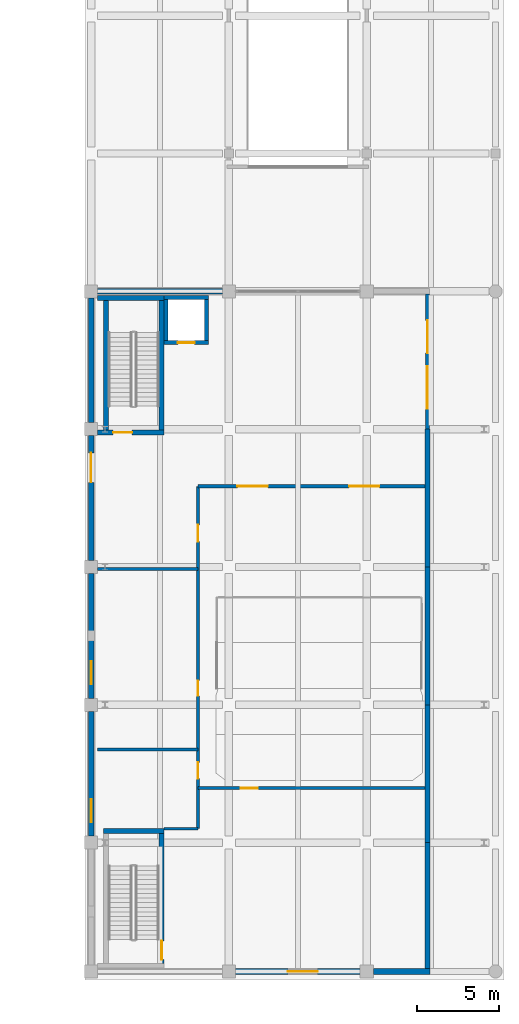
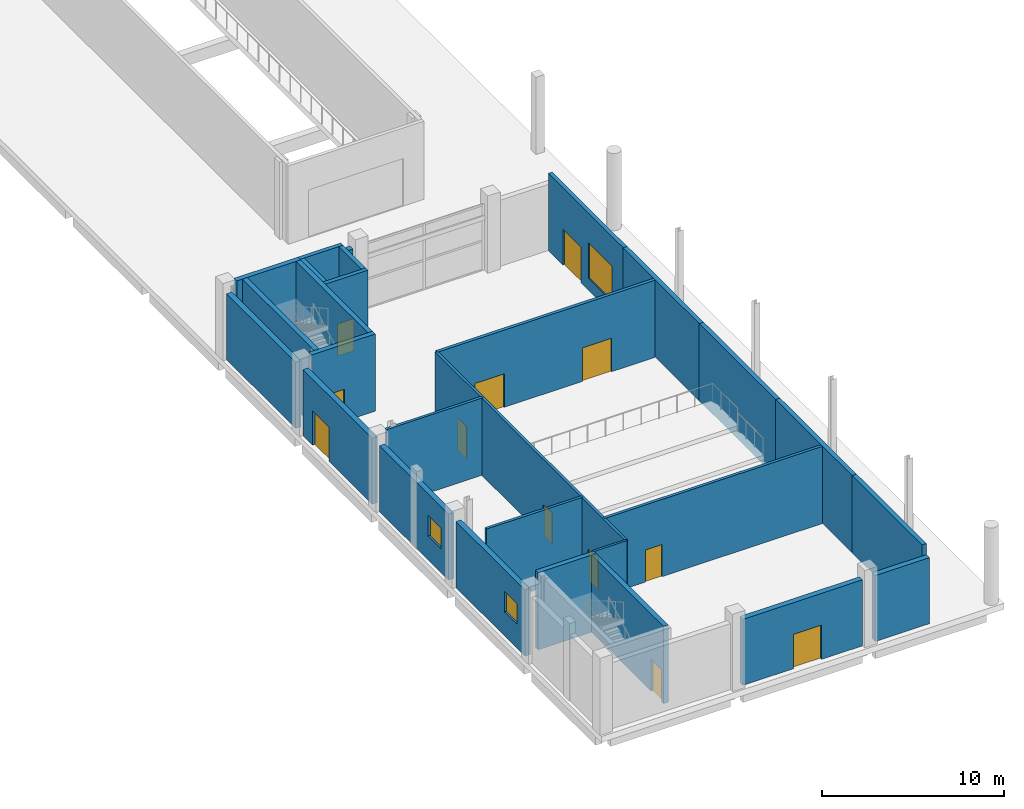
# One storey, part 23 of 34: 28 walls, 12 doors, 3 windows, 15 openings.
"""IFC4 building model written with IfcOpenShell, lengths in metres."""

from ifc_helpers import new_model, si_unit, direction, frame, frame_2d, origin, place, context, subcontext, project, spatial, rectangle, extrude, material, layer, layer_set, type_object, element, fill, save


model = new_model("IFC4")

# Units and contexts
model_context = context("Model", 3, precision=1e-05, world=origin(), true_north=direction((0.0, 1.0)))
body_context = subcontext(model_context, "Body", "Model", "MODEL_VIEW")
ifc_project = project(units=[si_unit("LENGTHUNIT", "METRE"), si_unit("AREAUNIT", "SQUARE_METRE"), si_unit("VOLUMEUNIT", "CUBIC_METRE"), si_unit("PLANEANGLEUNIT", "RADIAN"), si_unit("MASSUNIT", "GRAM", prefix="KILO")], contexts=[model_context])

# Site, building, storey
site_placement = place(None, origin())
site = spatial("IfcSite", under=ifc_project, at=site_placement, CompositionType="ELEMENT")
building_placement = place(site_placement, origin())
building = spatial("IfcBuilding", under=site, at=building_placement, Name="Brinegate Botanical Conservatory", CompositionType="ELEMENT")
storey_placement = place(building_placement, origin())
storey = spatial("IfcBuildingStorey", under=building, at=storey_placement, Name="L01", CompositionType="ELEMENT", Elevation=0.0)

# Wall, openings, door, window
ifc_material_1 = material(Name="Fujian grey granite ashlar masonry", Category="masonry")
ifc_layer_1 = layer(ifc_material_1, 0.239990234375, Name="Fujian grey granite ashlar masonry", Category="masonry")
ifc_layer_set_1 = layer_set([ifc_layer_1], Name="Fujian grey granite ashlar masonry")
wall_type_1 = type_object("IfcWallType", Name="Wall_EW-240A", PredefinedType="STANDARD", material=ifc_layer_set_1)
wall_1_placement = place(storey_placement, frame((159.300048828125, 41.830078125, 0.0), z_axis=(0.0, 0.0, 1.0), x_axis=(0.0, -1.0, 0.0)))
wall_1 = element("IfcWall", 1, at=wall_1_placement, inside=storey, type_object=wall_type_1, Name="Auditorium qilou foyer entrance wall", PredefinedType="STANDARD", context=body_context, shape_type="SweptSolid", body=[
    extrude(rectangle(XDim=8.22998046875, YDim=0.239990234375, at=frame_2d((4.114990234375, 0.0))), origin(), (0.0, 0.0, 1.0), 5.179931640625),
])
opening_1_placement = place(wall_1_placement, frame((1.60009765625, 0.0, 0.0)))
opening_1 = element("IfcOpeningElement", 2, at=opening_1_placement, cuts=wall_1, Name="Opening EX-01", PredefinedType="OPENING", context=body_context, shape_type="SweptSolid", body=[
    extrude(rectangle(XDim=2.0, YDim=2.39990234375, at=frame_2d((1.0, 1.199951171875))), frame((0.0, 0.1298828125, 0.0), z_axis=(0.0, -1.0, 0.0), x_axis=(1.0, 0.0, 0.0)), (0.0, 0.0, 1.0), 0.260009765625),
])
opening_2_placement = place(wall_1_placement, frame((4.39990234375, 0.0, 0.800048828125)))
opening_2 = element("IfcOpeningElement", 3, at=opening_2_placement, cuts=wall_1, Name="Opening WN-14", PredefinedType="OPENING", context=body_context, shape_type="SweptSolid", body=[
    extrude(rectangle(XDim=2.60009765625, YDim=2.39990234375, at=frame_2d((1.300048828125, 1.199951171875))), frame((0.0, 0.1298828125, 0.0), z_axis=(0.0, -1.0, 0.0), x_axis=(1.0, 0.0, 0.0)), (0.0, 0.0, 1.0), 0.260009765625),
])
ifc_material_2 = material(Name="Anodised aluminium and laminated safety glass", Category="aluminium")
door_type_1 = type_object("IfcDoorType", Name="Door_EX-01", OperationType="NOTDEFINED", PredefinedType="DOOR", material=ifc_material_2)
door_1_placement = place(opening_1_placement, origin())
door_1 = element("IfcDoor", 4, at=door_1_placement, inside=storey, type_object=door_type_1, Name="DR-V2-ENT-1", OperationType="SINGLE_SWING_LEFT", OverallHeight=2.39990234375, OverallWidth=2.0, PredefinedType="DOOR", context=body_context, shape_type="SweptSolid", body=[
    extrude(rectangle(XDim=2.0, YDim=2.39990234375, at=frame_2d((1.0, 1.199951171875))), frame((0.0, 0.02490234375, 0.0), z_axis=(0.0, -1.0, 0.0), x_axis=(1.0, 0.0, 0.0)), (0.0, 0.0, 1.0), 0.050048828125),
])
fill(opening_1, door_1)
ifc_material_3 = material(Name="Thermally broken aluminium-framed Low-E glass", Category="aluminium")
window_type_1 = type_object("IfcWindowType", Name="Win_WN-14", PartitioningType="TRIPLE_PANEL_VERTICAL", PredefinedType="WINDOW", material=ifc_material_3)
window_1_placement = place(opening_2_placement, origin())
window_1 = element("IfcWindow", 5, at=window_1_placement, inside=storey, type_object=window_type_1, Name="Auditorium foyer display window", OverallHeight=2.39990234375, OverallWidth=2.60009765625, PartitioningType="TRIPLE_PANEL_VERTICAL", PredefinedType="WINDOW", context=body_context, shape_type="SweptSolid", body=[
    extrude(rectangle(XDim=2.60009765625, YDim=2.39990234375, at=frame_2d((1.300048828125, 1.199951171875))), frame((0.0, 0.030029296875, 0.0), z_axis=(0.0, -1.0, 0.0), x_axis=(1.0, 0.0, 0.0)), (0.0, 0.0, 1.0), 0.06005859375),
])
fill(opening_2, window_1)

# Walls
ifc_material_4 = material(Name="Precast concrete C40/50 architectural panel", Category="concrete")
ifc_layer_2 = layer(ifc_material_4, 0.280029296875, Name="Precast concrete C40/50 architectural panel", Category="concrete")
ifc_layer_set_2 = layer_set([ifc_layer_2], Name="Precast concrete C40/50 architectural panel")
wall_type_2 = type_object("IfcWallType", Name="Wall_EW-280P", PredefinedType="STANDARD", material=ifc_layer_set_2)
wall_2_placement = place(storey_placement, frame((159.300048828125, 8.39990234375, 0.0), z_axis=(0.0, 0.0, 1.0), x_axis=(0.0, -1.0, 0.0)))
element("IfcWall", 6, at=wall_2_placement, inside=storey, type_object=wall_type_2, Name="Auditorium east acoustic wall L01.1", PredefinedType="STANDARD", context=body_context, shape_type="SweptSolid", body=[
    extrude(rectangle(XDim=7.679931640625, YDim=0.280029296875, at=frame_2d((3.83984375, 0.0))), origin(), (0.0, 0.0, 1.0), 5.179931640625),
])
wall_3_placement = place(storey_placement, frame((159.300048828125, 16.800048828125, 0.0), z_axis=(0.0, 0.0, 1.0), x_axis=(0.0, -1.0, 0.0)))
element("IfcWall", 7, at=wall_3_placement, inside=storey, type_object=wall_type_2, Name="Auditorium east acoustic wall L01.2", PredefinedType="STANDARD", context=body_context, shape_type="SweptSolid", body=[
    extrude(rectangle(XDim=8.400146484375, YDim=0.280029296875, at=frame_2d((4.2001953125, 0.0))), origin(), (0.0, 0.0, 1.0), 5.179931640625),
])
wall_4_placement = place(storey_placement, frame((159.300048828125, 25.199951171875, 0.0), z_axis=(0.0, 0.0, 1.0), x_axis=(0.0, -1.0, 0.0)))
element("IfcWall", 8, at=wall_4_placement, inside=storey, type_object=wall_type_2, Name="Auditorium east acoustic wall L01.3", PredefinedType="STANDARD", context=body_context, shape_type="SweptSolid", body=[
    extrude(rectangle(XDim=8.39990234375, YDim=0.280029296875, at=frame_2d((4.199951171875, 0.0))), origin(), (0.0, 0.0, 1.0), 5.179931640625),
])
wall_5_placement = place(storey_placement, frame((159.300048828125, 33.60009765625, 0.0), z_axis=(0.0, 0.0, 1.0), x_axis=(0.0, -1.0, 0.0)))
element("IfcWall", 9, at=wall_5_placement, inside=storey, type_object=wall_type_2, Name="Auditorium east acoustic wall L01.4", PredefinedType="STANDARD", context=body_context, shape_type="SweptSolid", body=[
    extrude(rectangle(XDim=8.400146484375, YDim=0.280029296875, at=frame_2d((4.2001953125, 0.0))), origin(), (0.0, 0.0, 1.0), 5.179931640625),
])

# Wall, opening, window
ifc_material_5 = material(Name="Insulated Minnan red clay brick masonry", Category="masonry")
ifc_layer_3 = layer(ifc_material_5, 0.340087890625, Name="Insulated Minnan red clay brick masonry", Category="masonry")
ifc_layer_set_3 = layer_set([ifc_layer_3], Name="Insulated Minnan red clay brick masonry")
wall_type_3 = type_object("IfcWallType", Name="Wall_EW-340B", PredefinedType="STANDARD", material=ifc_layer_set_3)
wall_6_placement = place(storey_placement, frame((138.800048828125, 8.800048828125, 0.0), z_axis=(0.0, 0.0, 1.0), x_axis=(0.0, 1.0, 0.0)))
wall_6 = element("IfcWall", 10, at=wall_6_placement, inside=storey, type_object=wall_type_3, Name="Auditorium west red-brick wall L01.2", PredefinedType="STANDARD", context=body_context, shape_type="SweptSolid", body=[
    extrude(rectangle(XDim=7.599853515625, YDim=0.340087890625, at=frame_2d((3.7998046875, 0.0))), origin(), (0.0, 0.0, 1.0), 4.429931640625),
])
opening_3_placement = place(wall_6_placement, frame((0.85009765625, 0.0, 1.60009765625)))
opening_3 = element("IfcOpeningElement", 11, at=opening_3_placement, cuts=wall_6, Name="Opening WN-16", PredefinedType="OPENING", context=body_context, shape_type="SweptSolid", body=[
    extrude(rectangle(XDim=1.39990234375, YDim=1.39990234375, at=frame_2d((0.699951171875, 0.699951171875))), frame((0.0, 0.179931640625, 0.0), z_axis=(0.0, -1.0, 0.0), x_axis=(1.0, 0.0, 0.0)), (0.0, 0.0, 1.0), 0.360107421875),
])
window_type_2 = type_object("IfcWindowType", Name="Win_WN-16", PartitioningType="SINGLE_PANEL", PredefinedType="WINDOW", material=ifc_material_3)
window_2_placement = place(opening_3_placement, origin())
window_2 = element("IfcWindow", 12, at=window_2_placement, inside=storey, type_object=window_type_2, Name="Auditorium west auxiliary window L01.2", OverallHeight=1.39990234375, OverallWidth=1.39990234375, PartitioningType="SINGLE_PANEL", PredefinedType="WINDOW", context=body_context, shape_type="SweptSolid", body=[
    extrude(rectangle(XDim=1.39990234375, YDim=1.39990234375, at=frame_2d((0.699951171875, 0.699951171875))), frame((0.0, 0.030029296875, 0.0), z_axis=(0.0, -1.0, 0.0), x_axis=(1.0, 0.0, 0.0)), (0.0, 0.0, 1.0), 0.06005859375),
])
fill(opening_3, window_2)

wall_7_placement = place(storey_placement, frame((138.800048828125, 17.199951171875, 0.0), z_axis=(0.0, 0.0, 1.0), x_axis=(0.0, 1.0, 0.0)))
wall_7 = element("IfcWall", 13, at=wall_7_placement, inside=storey, type_object=wall_type_3, Name="Auditorium west red-brick wall L01.3", PredefinedType="STANDARD", context=body_context, shape_type="SweptSolid", body=[
    extrude(rectangle(XDim=7.60009765625, YDim=0.340087890625, at=frame_2d((3.800048828125, 0.0))), origin(), (0.0, 0.0, 1.0), 4.429931640625),
])
opening_4_placement = place(wall_7_placement, frame((0.85009765625, 0.0, 1.60009765625)))
opening_4 = element("IfcOpeningElement", 14, at=opening_4_placement, cuts=wall_7, Name="Opening WN-16", PredefinedType="OPENING", context=body_context, shape_type="SweptSolid", body=[
    extrude(rectangle(XDim=1.39990234375, YDim=1.39990234375, at=frame_2d((0.699951171875, 0.699951171875))), frame((0.0, 0.179931640625, 0.0), z_axis=(0.0, -1.0, 0.0), x_axis=(1.0, 0.0, 0.0)), (0.0, 0.0, 1.0), 0.360107421875),
])
window_3_placement = place(opening_4_placement, origin())
window_3 = element("IfcWindow", 15, at=window_3_placement, inside=storey, type_object=window_type_2, Name="Auditorium west auxiliary window L01.3", OverallHeight=1.39990234375, OverallWidth=1.39990234375, PartitioningType="SINGLE_PANEL", PredefinedType="WINDOW", context=body_context, shape_type="SweptSolid", body=[
    extrude(rectangle(XDim=1.39990234375, YDim=1.39990234375, at=frame_2d((0.699951171875, 0.699951171875))), frame((0.0, 0.030029296875, 0.0), z_axis=(0.0, -1.0, 0.0), x_axis=(1.0, 0.0, 0.0)), (0.0, 0.0, 1.0), 0.06005859375),
])
fill(opening_4, window_3)

# Wall, opening, door
wall_8_placement = place(storey_placement, frame((138.800048828125, 25.60009765625, 0.0), z_axis=(0.0, 0.0, 1.0), x_axis=(0.0, 1.0, 0.0)))
wall_8 = element("IfcWall", 16, at=wall_8_placement, inside=storey, type_object=wall_type_3, Name="Auditorium west red-brick wall L01.4", PredefinedType="STANDARD", context=body_context, shape_type="SweptSolid", body=[
    extrude(rectangle(XDim=7.599853515625, YDim=0.340087890625, at=frame_2d((3.7998046875, 0.0))), origin(), (0.0, 0.0, 1.0), 4.429931640625),
])
opening_5_placement = place(wall_8_placement, frame((4.75, 0.0, 0.0)))
opening_5 = element("IfcOpeningElement", 17, at=opening_5_placement, cuts=wall_8, Name="Opening EX-02", PredefinedType="OPENING", context=body_context, shape_type="SweptSolid", body=[
    extrude(rectangle(XDim=1.800048828125, YDim=2.300048828125, at=frame_2d((0.89990234375, 1.14990234375))), frame((0.0, 0.179931640625, 0.0), z_axis=(0.0, -1.0, 0.0), x_axis=(1.0, 0.0, 0.0)), (0.0, 0.0, 1.0), 0.360107421875),
])
door_type_2 = type_object("IfcDoorType", Name="Door_EX-02", OperationType="NOTDEFINED", PredefinedType="DOOR", material=ifc_material_2)
door_2_placement = place(opening_5_placement, origin())
door_2 = element("IfcDoor", 18, at=door_2_placement, inside=storey, type_object=door_type_2, Name="DR-V2-EXIT-W", OperationType="SINGLE_SWING_LEFT", OverallHeight=2.300048828125, OverallWidth=1.800048828125, PredefinedType="DOOR", context=body_context, shape_type="SweptSolid", body=[
    extrude(rectangle(XDim=1.800048828125, YDim=2.300048828125, at=frame_2d((0.89990234375, 1.14990234375))), frame((0.0, 0.02490234375, 0.0), z_axis=(0.0, -1.0, 0.0), x_axis=(1.0, 0.0, 0.0)), (0.0, 0.0, 1.0), 0.050048828125),
])
fill(opening_5, door_2)

# Walls
for number, where, z_axis, x_axis, name in (
    (19, (138.800048828125, 34.0, 0.0), (0.0, 0.0, 1.0), (0.0, 1.0, 0.0), "Auditorium west red-brick wall L01.5"),
    (20, (139.199951171875, 42.0, 0.0), (0.0, 0.0, 1.0), (1.0, 0.0, 0.0), "Auditorium north court wall L01.1"),
):
    element("IfcWall", number, at=place(storey_placement, frame(where, z_axis=z_axis, x_axis=x_axis)), inside=storey, type_object=wall_type_3, Name=name, PredefinedType="STANDARD", context=body_context, shape_type="SweptSolid", body=[
        extrude(rectangle(XDim=7.60009765625, YDim=0.340087890625, at=frame_2d((3.800048828125, 0.0))), origin(), (0.0, 0.0, 1.0), 4.429931640625),
    ])

# Wall, opening, door
wall_9_placement = place(storey_placement, frame((155.199951171875, 0.550048828125, 0.0), z_axis=(0.0, 0.0, 1.0), x_axis=(-1.0, 0.0, 0.0)))
wall_9 = element("IfcWall", 21, at=wall_9_placement, inside=storey, type_object=wall_type_3, Name="Auditorium south wall L01.2", PredefinedType="STANDARD", context=body_context, shape_type="SweptSolid", body=[
    extrude(rectangle(XDim=7.599853515625, YDim=0.340087890625, at=frame_2d((3.7998046875, 0.0))), origin(), (0.0, 0.0, 1.0), 4.429931640625),
])
opening_6_placement = place(wall_9_placement, frame((2.60009765625, 0.0, 0.0)))
opening_6 = element("IfcOpeningElement", 22, at=opening_6_placement, cuts=wall_9, Name="Opening EX-02", PredefinedType="OPENING", context=body_context, shape_type="SweptSolid", body=[
    extrude(rectangle(XDim=1.800048828125, YDim=2.300048828125, at=frame_2d((0.89990234375, 1.14990234375))), frame((0.0, 0.179931640625, 0.0), z_axis=(0.0, -1.0, 0.0), x_axis=(1.0, 0.0, 0.0)), (0.0, 0.0, 1.0), 0.360107421875),
])
door_3_placement = place(opening_6_placement, origin())
door_3 = element("IfcDoor", 23, at=door_3_placement, inside=storey, type_object=door_type_2, Name="DR-V2-EXIT-S", OperationType="SINGLE_SWING_RIGHT", OverallHeight=2.300048828125, OverallWidth=1.800048828125, PredefinedType="DOOR", context=body_context, shape_type="SweptSolid", body=[
    extrude(rectangle(XDim=1.800048828125, YDim=2.300048828125, at=frame_2d((0.89990234375, 1.14990234375))), frame((0.0, 0.02490234375, 0.0), z_axis=(0.0, -1.0, 0.0), x_axis=(1.0, 0.0, 0.0)), (0.0, 0.0, 1.0), 0.050048828125),
])
fill(opening_6, door_3)

# Walls
wall_10_placement = place(storey_placement, frame((159.43994140625, 0.550048828125, 0.0), z_axis=(0.0, 0.0, 1.0), x_axis=(-1.0, 0.0, 0.0)))
element("IfcWall", 24, at=wall_10_placement, inside=storey, type_object=wall_type_3, Name="Auditorium south wall L01.3", PredefinedType="STANDARD", context=body_context, shape_type="SweptSolid", body=[
    extrude(rectangle(XDim=3.43994140625, YDim=0.340087890625, at=frame_2d((1.719970703125, 0.0))), origin(), (0.0, 0.0, 1.0), 4.429931640625),
])
ifc_material_6 = material(Name="Moisture-resistant cement-board partition", Category="gypsum")
ifc_layer_4 = layer(ifc_material_6, 0.14990234375, Name="Moisture-resistant cement-board partition", Category="gypsum")
ifc_layer_set_4 = layer_set([ifc_layer_4], Name="Moisture-resistant cement-board partition")
wall_type_4 = type_object("IfcWallType", Name="Wall_PW-150W", PredefinedType="PARTITIONING", material=ifc_layer_set_4)
wall_11_placement = place(storey_placement, frame((143.25, 9.25, 0.0), z_axis=(0.0, 0.0, 1.0), x_axis=(1.0, 0.0, 0.0)))
element("IfcWall", 25, at=wall_11_placement, inside=storey, type_object=wall_type_4, Name="Interior partition P-L01-V2-WCS0", PredefinedType="PARTITIONING", context=body_context, shape_type="SweptSolid", body=[
    extrude(rectangle(XDim=2.070068359375, YDim=0.14990234375, at=frame_2d((1.03515625, 0.0))), origin(), (0.0, 0.0, 1.0), 5.179931640625),
])

# Wall, openings, doors
ifc_material_7 = material(Name="Gypsum-clad acoustic steel-stud partition", Category="steel")
ifc_layer_5 = layer(ifc_material_7, 0.1650390625, Name="Gypsum-clad acoustic steel-stud partition", Category="steel")
ifc_layer_set_5 = layer_set([ifc_layer_5], Name="Gypsum-clad acoustic steel-stud partition")
wall_type_5 = type_object("IfcWallType", Name="Wall_PW-165", PredefinedType="PARTITIONING", material=ifc_layer_set_5)
wall_12_placement = place(storey_placement, frame((145.320068359375, 9.25, 0.0), z_axis=(0.0, 0.0, 1.0), x_axis=(0.0, 1.0, 0.0)))
wall_12 = element("IfcWall", 26, at=wall_12_placement, inside=storey, type_object=wall_type_5, Name="Interior partition P-L01-V2-WEST", PredefinedType="PARTITIONING", context=body_context, shape_type="SweptSolid", body=[
    extrude(rectangle(XDim=20.8701171875, YDim=0.1650390625, at=frame_2d((10.43505859375, 0.0))), origin(), (0.0, 0.0, 1.0), 5.179931640625),
])
opening_7_placement = place(wall_12_placement, frame((3.050048828125, 0.0, 0.0)))
opening_7 = element("IfcOpeningElement", 27, at=opening_7_placement, cuts=wall_12, Name="Opening DR-ACC", PredefinedType="OPENING", context=body_context, shape_type="SweptSolid", body=[
    extrude(rectangle(XDim=1.0, YDim=2.1201171875, at=frame_2d((0.5, 1.06005859375))), frame((0.0, 0.092529296875, 0.0), z_axis=(0.0, -1.0, 0.0), x_axis=(1.0, 0.0, 0.0)), (0.0, 0.0, 1.0), 0.18505859375),
])
opening_8_placement = place(wall_12_placement, frame((8.10009765625, 0.0, 0.0)))
opening_8 = element("IfcOpeningElement", 28, at=opening_8_placement, cuts=wall_12, Name="Opening DR-04", PredefinedType="OPENING", context=body_context, shape_type="SweptSolid", body=[
    extrude(rectangle(XDim=0.919921875, YDim=2.10009765625, at=frame_2d((0.4599609375, 1.050048828125))), frame((0.0, 0.092529296875, 0.0), z_axis=(0.0, -1.0, 0.0), x_axis=(1.0, 0.0, 0.0)), (0.0, 0.0, 1.0), 0.18505859375),
])
opening_9_placement = place(wall_12_placement, frame((17.5, 0.0, 0.0)))
opening_9 = element("IfcOpeningElement", 29, at=opening_9_placement, cuts=wall_12, Name="Opening DR-02", PredefinedType="OPENING", context=body_context, shape_type="SweptSolid", body=[
    extrude(rectangle(XDim=1.02001953125, YDim=2.14990234375, at=frame_2d((0.510009765625, 1.074951171875))), frame((0.0, 0.092529296875, 0.0), z_axis=(0.0, -1.0, 0.0), x_axis=(1.0, 0.0, 0.0)), (0.0, 0.0, 1.0), 0.18505859375),
])
ifc_material_8 = material(Name="Phenolic-faced laboratory timber leaf", Category="wood")
door_type_3 = type_object("IfcDoorType", Name="Door_DR-02", OperationType="NOTDEFINED", PredefinedType="DOOR", material=ifc_material_8)
door_4_placement = place(opening_9_placement, origin())
door_4 = element("IfcDoor", 30, at=door_4_placement, inside=storey, type_object=door_type_3, Name="DR-P-L01-V2-WEST-3", OperationType="SINGLE_SWING_LEFT", OverallHeight=2.14990234375, OverallWidth=1.02001953125, PredefinedType="DOOR", context=body_context, shape_type="SweptSolid", body=[
    extrude(rectangle(XDim=1.02001953125, YDim=2.14990234375, at=frame_2d((0.510009765625, 1.074951171875))), frame((0.0, 0.02490234375, 0.0), z_axis=(0.0, -1.0, 0.0), x_axis=(1.0, 0.0, 0.0)), (0.0, 0.0, 1.0), 0.050048828125),
])
fill(opening_9, door_4)
ifc_material_9 = material(Name="Moisture-resistant laminate timber leaf", Category="wood")
door_type_4 = type_object("IfcDoorType", Name="Door_DR-04", OperationType="NOTDEFINED", PredefinedType="DOOR", material=ifc_material_9)
door_5_placement = place(opening_8_placement, origin())
door_5 = element("IfcDoor", 31, at=door_5_placement, inside=storey, type_object=door_type_4, Name="DR-P-L01-V2-WEST-2", OperationType="SINGLE_SWING_RIGHT", OverallHeight=2.10009765625, OverallWidth=0.919921875, PredefinedType="DOOR", context=body_context, shape_type="SweptSolid", body=[
    extrude(rectangle(XDim=0.919921875, YDim=2.10009765625, at=frame_2d((0.4599609375, 1.050048828125))), frame((0.0, 0.02490234375, 0.0), z_axis=(0.0, -1.0, 0.0), x_axis=(1.0, 0.0, 0.0)), (0.0, 0.0, 1.0), 0.050048828125),
])
fill(opening_8, door_5)
ifc_material_10 = material(Name="Moisture-resistant barrier-free timber leaf", Category="wood")
door_type_5 = type_object("IfcDoorType", Name="Door_DR-ACC", OperationType="NOTDEFINED", PredefinedType="DOOR", material=ifc_material_10)
door_6_placement = place(opening_7_placement, origin())
door_6 = element("IfcDoor", 32, at=door_6_placement, inside=storey, type_object=door_type_5, Name="DR-P-L01-V2-WEST-1", OperationType="SINGLE_SWING_LEFT", OverallHeight=2.1201171875, OverallWidth=1.0, PredefinedType="DOOR", context=body_context, shape_type="SweptSolid", body=[
    extrude(rectangle(XDim=1.0, YDim=2.1201171875, at=frame_2d((0.5, 1.06005859375))), frame((0.0, 0.02490234375, 0.0), z_axis=(0.0, -1.0, 0.0), x_axis=(1.0, 0.0, 0.0)), (0.0, 0.0, 1.0), 0.050048828125),
])
fill(opening_7, door_6)

# Walls
ifc_material_11 = material(Name="Gypsum-clad double-stud acoustic partition", Category="gypsum")
ifc_layer_6 = layer(ifc_material_11, 0.172119140625, Name="Gypsum-clad double-stud acoustic partition", Category="gypsum")
ifc_layer_set_6 = layer_set([ifc_layer_6], Name="Gypsum-clad double-stud acoustic partition")
wall_type_6 = type_object("IfcWallType", Name="Wall_PW-172", PredefinedType="PARTITIONING", material=ifc_layer_set_6)
for number, where, z_axis, x_axis, name in (
    (33, (139.199951171875, 14.080078125, 0.0), (0.0, 0.0, 1.0), (1.0, 0.0, 0.0), "Interior partition P-L01-V2-WD1"),
    (34, (139.199951171875, 25.080078125, 0.0), (0.0, 0.0, 1.0), (1.0, 0.0, 0.0), "Interior partition P-L01-V2-WD2"),
):
    element("IfcWall", number, at=place(storey_placement, frame(where, z_axis=z_axis, x_axis=x_axis)), inside=storey, type_object=wall_type_6, Name=name, PredefinedType="PARTITIONING", context=body_context, shape_type="SweptSolid", body=[
        extrude(rectangle(XDim=6.1201171875, YDim=0.172119140625, at=frame_2d((3.06005859375, 0.0))), origin(), (0.0, 0.0, 1.0), 5.179931640625),
    ])

# Wall, opening, door
ifc_material_12 = material(Name="Autoclaved aerated concrete C40/50 blockwork", Category="masonry")
ifc_layer_7 = layer(ifc_material_12, 0.179931640625, Name="Autoclaved aerated concrete C40/50 blockwork", Category="masonry")
ifc_layer_set_7 = layer_set([ifc_layer_7], Name="Autoclaved aerated concrete C40/50 blockwork")
wall_type_7 = type_object("IfcWallType", Name="Wall_PW-180F", PredefinedType="STANDARD", material=ifc_layer_set_7)
wall_13_placement = place(storey_placement, frame((145.320068359375, 11.719970703125, 0.0), z_axis=(0.0, 0.0, 1.0), x_axis=(1.0, 0.0, 0.0)))
wall_13 = element("IfcWall", 35, at=wall_13_placement, inside=storey, type_object=wall_type_7, Name="Interior partition P-L01-V2-STG", PredefinedType="STANDARD", context=body_context, shape_type="SweptSolid", body=[
    extrude(rectangle(XDim=13.829833984375, YDim=0.179931640625, at=frame_2d((6.9150390625, 0.0))), origin(), (0.0, 0.0, 1.0), 5.179931640625),
])
opening_10_placement = place(wall_13_placement, frame((2.60009765625, 0.0, 0.0)))
opening_10 = element("IfcOpeningElement", 36, at=opening_10_placement, cuts=wall_13, Name="Opening FD-B2", PredefinedType="OPENING", context=body_context, shape_type="SweptSolid", body=[
    extrude(rectangle(XDim=1.050048828125, YDim=2.14990234375, at=frame_2d((0.52490234375, 1.074951171875))), frame((0.0, 0.099853515625, 0.0), z_axis=(0.0, -1.0, 0.0), x_axis=(1.0, 0.0, 0.0)), (0.0, 0.0, 1.0), 0.199951171875),
])
ifc_material_13 = material(Name="Steel fire door assembly", Category="steel")
door_type_6 = type_object("IfcDoorType", Name="Door_FD-B2", OperationType="NOTDEFINED", PredefinedType="DOOR", material=ifc_material_13)
door_7_placement = place(opening_10_placement, origin())
door_7 = element("IfcDoor", 37, at=door_7_placement, inside=storey, type_object=door_type_6, Name="DR-P-L01-V2-STG-1", OperationType="SINGLE_SWING_LEFT", OverallHeight=2.14990234375, OverallWidth=1.050048828125, PredefinedType="DOOR", context=body_context, shape_type="SweptSolid", body=[
    extrude(rectangle(XDim=1.050048828125, YDim=2.14990234375, at=frame_2d((0.52490234375, 1.074951171875))), frame((0.0, 0.02490234375, 0.0), z_axis=(0.0, -1.0, 0.0), x_axis=(1.0, 0.0, 0.0)), (0.0, 0.0, 1.0), 0.050048828125),
])
fill(opening_10, door_7)

# Wall, openings, doors
ifc_layer_8 = layer(ifc_material_12, 0.199951171875, Name="Autoclaved aerated concrete C40/50 blockwork", Category="masonry")
ifc_layer_set_8 = layer_set([ifc_layer_8], Name="Autoclaved aerated concrete C40/50 blockwork")
wall_type_8 = type_object("IfcWallType", Name="Wall_PW-200F", PredefinedType="SOLIDWALL", material=ifc_layer_set_8)
wall_14_placement = place(storey_placement, frame((145.320068359375, 30.1201171875, 0.0), z_axis=(0.0, 0.0, 1.0), x_axis=(1.0, 0.0, 0.0)))
wall_14 = element("IfcWall", 38, at=wall_14_placement, inside=storey, type_object=wall_type_8, Name="Interior partition P-L01-V2-FOY-HALL", PredefinedType="SOLIDWALL", context=body_context, shape_type="SweptSolid", body=[
    extrude(rectangle(XDim=13.829833984375, YDim=0.199951171875, at=frame_2d((6.9150390625, 0.0))), origin(), (0.0, 0.0, 1.0), 5.179931640625),
])
opening_11_placement = place(wall_14_placement, frame((2.39990234375, 0.0, 0.0)))
opening_11 = element("IfcOpeningElement", 39, at=opening_11_placement, cuts=wall_14, Name="Opening DR-DBL1", PredefinedType="OPENING", context=body_context, shape_type="SweptSolid", body=[
    extrude(rectangle(XDim=1.85009765625, YDim=2.25, at=frame_2d((0.925048828125, 1.125))), frame((0.0, 0.10986328125, 0.0), z_axis=(0.0, -1.0, 0.0), x_axis=(1.0, 0.0, 0.0)), (0.0, 0.0, 1.0), 0.219970703125),
])
opening_12_placement = place(wall_14_placement, frame((9.199951171875, 0.0, 0.0)))
opening_12 = element("IfcOpeningElement", 40, at=opening_12_placement, cuts=wall_14, Name="Opening DR-DBL1", PredefinedType="OPENING", context=body_context, shape_type="SweptSolid", body=[
    extrude(rectangle(XDim=1.85009765625, YDim=2.25, at=frame_2d((0.925048828125, 1.125))), frame((0.0, 0.10986328125, 0.0), z_axis=(0.0, -1.0, 0.0), x_axis=(1.0, 0.0, 0.0)), (0.0, 0.0, 1.0), 0.219970703125),
])
ifc_material_14 = material(Name="Anodised aluminium and safety glass", Category="aluminium")
door_type_7 = type_object("IfcDoorType", Name="Door_DR-DBL1", OperationType="NOTDEFINED", PredefinedType="DOOR", material=ifc_material_14)
door_8_placement = place(opening_11_placement, origin())
door_8 = element("IfcDoor", 41, at=door_8_placement, inside=storey, type_object=door_type_7, Name="DR-P-L01-V2-FOY-HALL-1", OperationType="SINGLE_SWING_LEFT", OverallHeight=2.25, OverallWidth=1.85009765625, PredefinedType="DOOR", context=body_context, shape_type="SweptSolid", body=[
    extrude(rectangle(XDim=1.85009765625, YDim=2.25, at=frame_2d((0.925048828125, 1.125))), frame((0.0, 0.02490234375, 0.0), z_axis=(0.0, -1.0, 0.0), x_axis=(1.0, 0.0, 0.0)), (0.0, 0.0, 1.0), 0.050048828125),
])
fill(opening_11, door_8)
door_9_placement = place(opening_12_placement, origin())
door_9 = element("IfcDoor", 42, at=door_9_placement, inside=storey, type_object=door_type_7, Name="DR-P-L01-V2-FOY-HALL-2", OperationType="SINGLE_SWING_RIGHT", OverallHeight=2.25, OverallWidth=1.85009765625, PredefinedType="DOOR", context=body_context, shape_type="SweptSolid", body=[
    extrude(rectangle(XDim=1.85009765625, YDim=2.25, at=frame_2d((0.925048828125, 1.125))), frame((0.0, 0.02490234375, 0.0), z_axis=(0.0, -1.0, 0.0), x_axis=(1.0, 0.0, 0.0)), (0.0, 0.0, 1.0), 0.050048828125),
])
fill(opening_12, door_9)

# Wall, opening, door
ifc_material_15 = material(Name="Concrete C40/50", Category="concrete")
ifc_layer_9 = layer(ifc_material_15, 0.25, Name="Concrete C40/50", Category="concrete")
ifc_layer_set_9 = layer_set([ifc_layer_9], Name="Concrete C40/50")
wall_type_9 = type_object("IfcWallType", Name="Wall_SW-250", PredefinedType="SHEAR", material=ifc_layer_set_9)
wall_15_placement = place(storey_placement, frame((143.25, 38.875, 0.0), z_axis=(0.0, 0.0, 1.0), x_axis=(1.0, 0.0, 0.0)))
wall_15 = element("IfcWall", 43, at=wall_15_placement, inside=storey, type_object=wall_type_9, Name="Lift shaft LF6 shear wall L01 S", PredefinedType="SHEAR", context=body_context, shape_type="SweptSolid", body=[
    extrude(rectangle(XDim=2.699951171875, YDim=0.25, at=frame_2d((1.35009765625, 0.0))), origin(), (0.0, 0.0, 1.0), 5.179931640625),
])
opening_13_placement = place(wall_15_placement, frame((0.8349609375, 0.0, 0.0)))
opening_13 = element("IfcOpeningElement", 44, at=opening_13_placement, cuts=wall_15, Name="Opening LD-06", PredefinedType="OPENING", context=body_context, shape_type="SweptSolid", body=[
    extrude(rectangle(XDim=1.030029296875, YDim=2.14990234375, at=frame_2d((0.51513671875, 1.074951171875))), frame((0.0, 0.135009765625, 0.0), z_axis=(0.0, -1.0, 0.0), x_axis=(1.0, 0.0, 0.0)), (0.0, 0.0, 1.0), 0.27001953125),
])
ifc_material_16 = material(Name="Brushed stainless steel S355 landing door", Category="steel")
door_type_8 = type_object("IfcDoorType", Name="Door_LD-06", OperationType="SLIDING_TO_LEFT", PredefinedType="DOOR", material=ifc_material_16)
door_10_placement = place(opening_13_placement, origin())
door_10 = element("IfcDoor", 45, at=door_10_placement, inside=storey, type_object=door_type_8, Name="LD-LF6-L01", OperationType="SLIDING_TO_LEFT", OverallHeight=2.14990234375, OverallWidth=1.030029296875, PredefinedType="DOOR", context=body_context, shape_type="SweptSolid", body=[
    extrude(rectangle(XDim=1.030029296875, YDim=2.14990234375, at=frame_2d((0.51513671875, 1.074951171875))), frame((0.0, 0.02490234375, 0.0), z_axis=(0.0, -1.0, 0.0), x_axis=(1.0, 0.0, 0.0)), (0.0, 0.0, 1.0), 0.050048828125),
])
fill(opening_13, door_10)

# Walls
wall_16_placement = place(storey_placement, frame((143.25, 41.625, 0.0), z_axis=(0.0, 0.0, 1.0), x_axis=(1.0, 0.0, 0.0)))
element("IfcWall", 46, at=wall_16_placement, inside=storey, type_object=wall_type_9, Name="Lift shaft LF6 shear wall L01 N", PredefinedType="SHEAR", context=body_context, shape_type="SweptSolid", body=[
    extrude(rectangle(XDim=2.699951171875, YDim=0.25, at=frame_2d((1.35009765625, 0.0))), origin(), (0.0, 0.0, 1.0), 5.179931640625),
])
for number, where, z_axis, x_axis, name in (
    (47, (143.375, 39.0, 0.0), (0.0, 0.0, 1.0), (0.0, 1.0, 0.0), "Lift shaft LF6 shear wall L01 W"),
    (48, (145.824951171875, 39.0, 0.0), (0.0, 0.0, 1.0), (0.0, 1.0, 0.0), "Lift shaft LF6 shear wall L01 E"),
):
    element("IfcWall", number, at=place(storey_placement, frame(where, z_axis=z_axis, x_axis=x_axis)), inside=storey, type_object=wall_type_9, Name=name, PredefinedType="SHEAR", context=body_context, shape_type="SweptSolid", body=[
        extrude(rectangle(XDim=2.5, YDim=0.25, at=frame_2d((1.25, 0.0))), origin(), (0.0, 0.0, 1.0), 5.179931640625),
    ])

# Wall, opening, door
ifc_layer_10 = layer(ifc_material_15, 0.300048828125, Name="Concrete C40/50", Category="concrete")
ifc_layer_set_10 = layer_set([ifc_layer_10], Name="Concrete C40/50")
wall_type_10 = type_object("IfcWallType", Name="Wall_SW-300", PredefinedType="SHEAR", material=ifc_layer_set_10)
wall_17_placement = place(storey_placement, frame((139.199951171875, 33.39990234375, 0.0), z_axis=(0.0, 0.0, 1.0), x_axis=(1.0, 0.0, 0.0)))
wall_17 = element("IfcWall", 49, at=wall_17_placement, inside=storey, type_object=wall_type_10, Name="Stairwell ST5 shear wall L01 S", PredefinedType="SHEAR", context=body_context, shape_type="SweptSolid", body=[
    extrude(rectangle(XDim=4.050048828125, YDim=0.300048828125, at=frame_2d((2.02490234375, 0.0))), origin(), (0.0, 0.0, 1.0), 5.179931640625),
])
opening_14_placement = place(wall_17_placement, frame((0.949951171875, 0.0, 0.0)))
opening_14 = element("IfcOpeningElement", 50, at=opening_14_placement, cuts=wall_17, Name="Opening FD-B1", PredefinedType="OPENING", context=body_context, shape_type="SweptSolid", body=[
    extrude(rectangle(XDim=1.14990234375, YDim=2.14990234375, at=frame_2d((0.574951171875, 1.074951171875))), frame((0.0, 0.159912109375, 0.0), z_axis=(0.0, -1.0, 0.0), x_axis=(1.0, 0.0, 0.0)), (0.0, 0.0, 1.0), 0.320068359375),
])
ifc_material_17 = material(Name="Steel smoke-proof fire door assembly", Category="steel")
door_type_9 = type_object("IfcDoorType", Name="Door_FD-B1", OperationType="NOTDEFINED", PredefinedType="DOOR", material=ifc_material_17)
door_11_placement = place(opening_14_placement, origin())
door_11 = element("IfcDoor", 51, at=door_11_placement, inside=storey, type_object=door_type_9, Name="DR-ST-ST5-L01", OperationType="SINGLE_SWING_LEFT", OverallHeight=2.14990234375, OverallWidth=1.14990234375, PredefinedType="DOOR", context=body_context, shape_type="SweptSolid", body=[
    extrude(rectangle(XDim=1.14990234375, YDim=2.14990234375, at=frame_2d((0.574951171875, 1.074951171875))), frame((0.0, 0.02490234375, 0.0), z_axis=(0.0, -1.0, 0.0), x_axis=(1.0, 0.0, 0.0)), (0.0, 0.0, 1.0), 0.050048828125),
])
fill(opening_14, door_11)

# Walls
wall_18_placement = place(storey_placement, frame((139.199951171875, 41.60009765625, 0.0), z_axis=(0.0, 0.0, 1.0), x_axis=(1.0, 0.0, 0.0)))
element("IfcWall", 52, at=wall_18_placement, inside=storey, type_object=wall_type_10, Name="Stairwell ST5 shear wall L01 N", PredefinedType="SHEAR", context=body_context, shape_type="SweptSolid", body=[
    extrude(rectangle(XDim=4.050048828125, YDim=0.300048828125, at=frame_2d((2.02490234375, 0.0))), origin(), (0.0, 0.0, 1.0), 5.179931640625),
])
for number, where, z_axis, x_axis, name in (
    (53, (139.699951171875, 33.550048828125, 0.0), (0.0, 0.0, 1.0), (0.0, 1.0, 0.0), "Stairwell ST5 shear wall L01 W"),
    (54, (143.10009765625, 33.550048828125, 0.0), (0.0, 0.0, 1.0), (0.0, 1.0, 0.0), "Stairwell ST5 shear wall L01 E"),
):
    element("IfcWall", number, at=place(storey_placement, frame(where, z_axis=z_axis, x_axis=x_axis)), inside=storey, type_object=wall_type_10, Name=name, PredefinedType="SHEAR", context=body_context, shape_type="SweptSolid", body=[
        extrude(rectangle(XDim=7.89990234375, YDim=0.300048828125, at=frame_2d((3.949951171875, 0.0))), origin(), (0.0, 0.0, 1.0), 5.179931640625),
    ])
wall_19_placement = place(storey_placement, frame((139.550048828125, 9.10009765625, 0.0), z_axis=(0.0, 0.0, 1.0), x_axis=(1.0, 0.0, 0.0)))
element("IfcWall", 55, at=wall_19_placement, inside=storey, type_object=wall_type_10, Name="Stairwell ST6 shear wall L01 N", PredefinedType="SHEAR", context=body_context, shape_type="SweptSolid", body=[
    extrude(rectangle(XDim=3.699951171875, YDim=0.300048828125, at=frame_2d((1.85009765625, 0.0))), origin(), (0.0, 0.0, 1.0), 5.179931640625),
])

# Wall, opening, door
wall_20_placement = place(storey_placement, frame((143.10009765625, 1.050048828125, 0.0), z_axis=(0.0, 0.0, 1.0), x_axis=(0.0, 1.0, 0.0)))
wall_20 = element("IfcWall", 56, at=wall_20_placement, inside=storey, type_object=wall_type_10, Name="Stairwell ST6 shear wall L01 E", PredefinedType="SHEAR", context=body_context, shape_type="SweptSolid", body=[
    extrude(rectangle(XDim=7.89990234375, YDim=0.300048828125, at=frame_2d((3.949951171875, 0.0))), origin(), (0.0, 0.0, 1.0), 5.179931640625),
])
opening_15_placement = place(wall_20_placement, frame((0.219970703125, 0.0, 0.0)))
opening_15 = element("IfcOpeningElement", 57, at=opening_15_placement, cuts=wall_20, Name="Opening FD-B1", PredefinedType="OPENING", context=body_context, shape_type="SweptSolid", body=[
    extrude(rectangle(XDim=1.14990234375, YDim=2.14990234375, at=frame_2d((0.574951171875, 1.074951171875))), frame((0.0, 0.159912109375, 0.0), z_axis=(0.0, -1.0, 0.0), x_axis=(1.0, 0.0, 0.0)), (0.0, 0.0, 1.0), 0.320068359375),
])
door_12_placement = place(opening_15_placement, origin())
door_12 = element("IfcDoor", 58, at=door_12_placement, inside=storey, type_object=door_type_9, Name="DR-ST-ST6-L01", OperationType="SINGLE_SWING_LEFT", OverallHeight=2.14990234375, OverallWidth=1.14990234375, PredefinedType="DOOR", context=body_context, shape_type="SweptSolid", body=[
    extrude(rectangle(XDim=1.14990234375, YDim=2.14990234375, at=frame_2d((0.574951171875, 1.074951171875))), frame((0.0, 0.02490234375, 0.0), z_axis=(0.0, -1.0, 0.0), x_axis=(1.0, 0.0, 0.0)), (0.0, 0.0, 1.0), 0.050048828125),
])
fill(opening_15, door_12)

save(model, "model.ifc")
